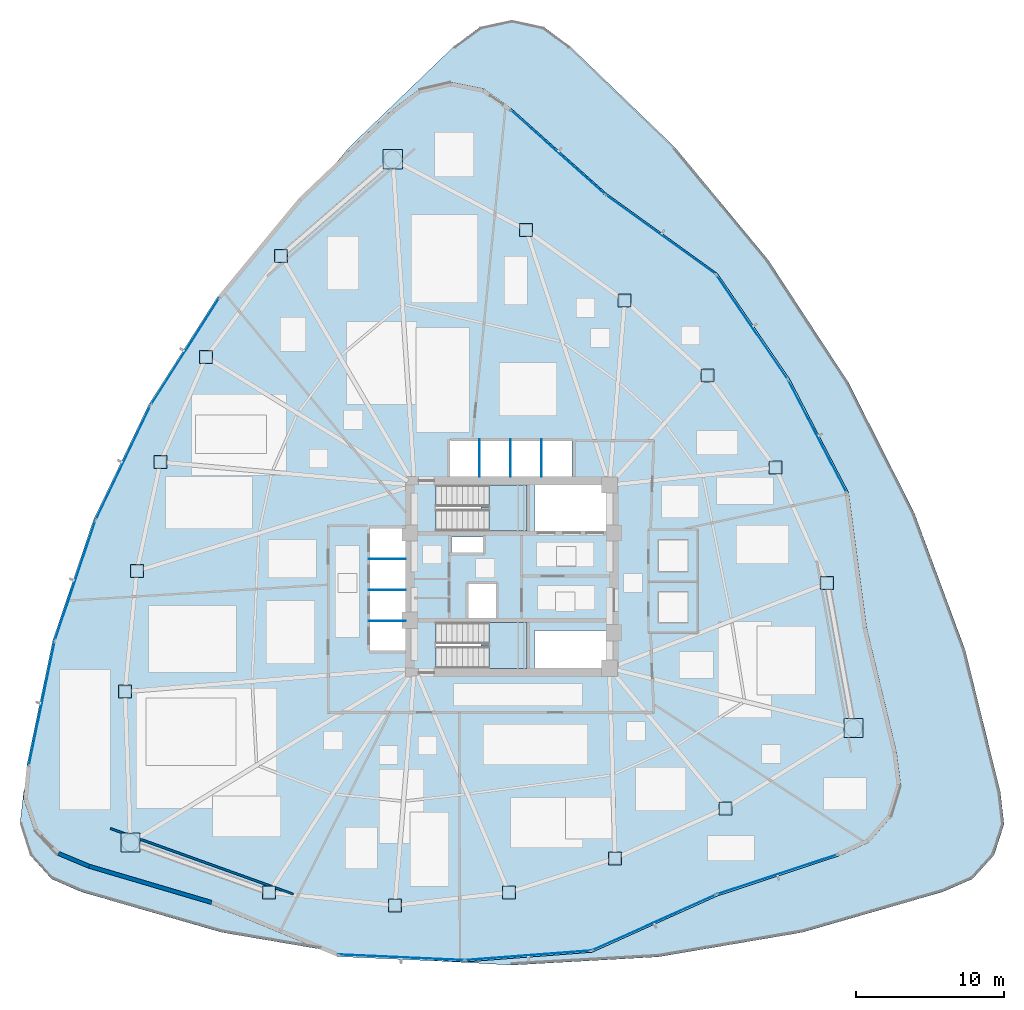
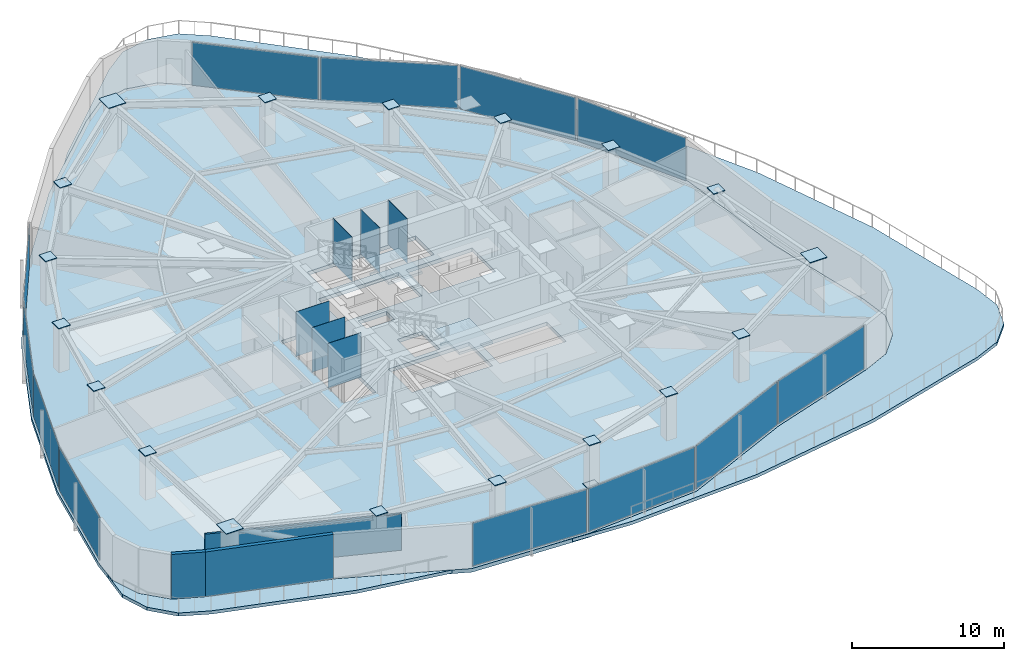
# One storey, part 10 of 19: 37 plates, 5 slabs, 3 walls, 14 elements without a shape of their own.
"""IFC4 building model written with IfcOpenShell, lengths in metres."""

from ifc_helpers import new_model, si_unit, direction, frame, frame_2d, origin, origin_2d, place, context, subcontext, project, spatial, polyline, rectangle, outline, extrude, source, transform, mapped, material, layer, layer_set, type_object, type_shapes, element, aggregate, save


model = new_model("IFC4")

# Units and contexts
model_context = context("Model", 3, precision=1e-05, world=origin(), true_north=direction((0.0, 1.0)))
body_context = subcontext(model_context, "Body", "Model", "MODEL_VIEW")
ifc_project = project(units=[si_unit("LENGTHUNIT", "METRE"), si_unit("AREAUNIT", "SQUARE_METRE"), si_unit("VOLUMEUNIT", "CUBIC_METRE"), si_unit("PLANEANGLEUNIT", "RADIAN"), si_unit("MASSUNIT", "GRAM", prefix="KILO")], contexts=[model_context])

# Site, building, storey
site_placement = place(None, origin())
site = spatial("IfcSite", under=ifc_project, at=site_placement, CompositionType="ELEMENT")
building_placement = place(site_placement, origin())
building = spatial("IfcBuilding", under=site, at=building_placement, Name="Tavelor Broadcast Tower", CompositionType="ELEMENT")
storey_placement = place(building_placement, frame((0.0, 0.0, 27.60009765625)))
storey = spatial("IfcBuildingStorey", under=building, at=storey_placement, Name="L05", CompositionType="ELEMENT", Elevation=27.60009765625)

# Slabs
ifc_material_1 = material(Name="Concrete C40/50", Category="concrete")
ifc_layer_1 = layer(ifc_material_1, 0.260009765625)
ifc_layer_set_1 = layer_set([ifc_layer_1], Name="Concrete C40/50")
slab_type_1 = type_object("IfcSlabType", Name="Cascading Planted Terrace Roof Slab 260 mm", PredefinedType="ROOF", material=ifc_layer_set_1)
slab_1_placement = place(storey_placement, frame((0.0, 0.0, -0.260009765625)))
element("IfcSlab", 1, at=slab_1_placement, inside=storey, type_object=slab_type_1, Name="L05 Cascading Planted Garden Terrace Slab 1", PredefinedType="ROOF", context=body_context, shape_type="SweptSolid", body=[
    extrude(outline(polyline([(38.05078125, 72.96533203125), (41.865478515625, 76.58837890625), (43.668212890625, 77.964111328125), (45.8740234375, 78.475341796875), (48.09521484375, 78.03369140625), (49.940185546875, 76.715087890625), (56.39697265625, 70.95751953125), (56.3984375, 70.956298828125), (63.910888671875, 65.539306640625), (68.79345703125, 58.402099609375), (72.776123046875, 50.7265625), (74.000244140625, 41.546142578125), (74.00048828125, 41.5439453125), (76.023681640625, 33.1328125), (76.313720703125, 30.8837890625), (75.653564453125, 28.7177734375), (74.160400390625, 27.01513671875), (72.09619140625, 26.07666015625), (63.88134765625, 23.363525390625), (63.87939453125, 23.36279296875), (55.43212890625, 19.5654296875), (46.809814453125, 18.90576171875), (43.833251953125, 19.03955078125), (50.0, 18.693115234375), (59.889892578125, 19.248779296875), (69.655517578125, 20.908935546875), (79.173583984375, 23.652587890625), (81.18017578125, 24.527099609375), (82.649169921875, 26.14990234375), (83.320068359375, 28.2333984375), (83.07421875, 30.40869140625), (80.69140625, 40.023193359375), (77.24609375, 49.310546875), (72.782470703125, 58.153564453125), (67.356201171875, 66.440673828125), (61.03564453125, 74.06787109375), (53.900634765625, 80.938720703125), (52.139892578125, 82.2392578125), (50.0, 82.699951171875), (47.860107421875, 82.2392578125), (46.099365234375, 80.938720703125), (38.96435546875, 74.06787109375), (38.05078125, 72.96533203125)])), origin(), (0.0, 0.0, 1.0), 0.260009765625),
])
slab_2_placement = place(storey_placement, frame((0.0, 0.0, -0.260009765625)))
element("IfcSlab", 2, at=slab_2_placement, inside=storey, type_object=slab_type_1, Name="L05 Cascading Planted Garden Terrace Slab 2", PredefinedType="ROOF", context=body_context, shape_type="SweptSolid", body=[
    extrude(outline(polyline([(36.99853515625, 19.777587890625), (29.608642578125, 22.824462890625), (29.606689453125, 22.8251953125), (21.31103515625, 25.27880859375), (19.21826171875, 26.152099609375), (17.67236328125, 27.806884765625), (16.944580078125, 29.951171875), (17.02978515625, 30.827880859375), (16.92578125, 30.40869140625), (16.679931640625, 28.2333984375), (17.350830078125, 26.14990234375), (18.81982421875, 24.527099609375), (20.826416015625, 23.652587890625), (30.344482421875, 20.908935546875), (36.99853515625, 19.777587890625)])), origin(), (0.0, 0.0, 1.0), 0.260009765625),
])

# Stair, slab
stair_type = type_object("IfcStairType", Name="Reinforced Concrete Protected Dogleg Stair 1450 mm", PredefinedType="HALF_TURN_STAIR", material=ifc_material_1)
stair_1_placement = place(storey_placement, origin())
stair_1 = element("IfcStair", 3, at=stair_1_placement, inside=storey, type_object=stair_type, Name="L05 Protected Core Exit Stair ST1", PredefinedType="HALF_TURN_STAIR")
ifc_layer_2 = layer(ifc_material_1, 0.199951171875)
ifc_layer_set_2 = layer_set([ifc_layer_2], Name="Concrete C40/50")
slab_type_2 = type_object("IfcSlabType", Name="Reinforced Concrete Stair Half-Landing Slab 200 mm", PredefinedType="LANDING", material=ifc_layer_set_2)
slab_3_placement = place(storey_placement, frame((0.0, 0.0, 1.75)))
slab_3 = element("IfcSlab", 4, at=slab_3_placement, type_object=slab_type_2, Name="ST1 landing 1", PredefinedType="LANDING", context=body_context, shape_type="SweptSolid", body=[
    extrude(outline(polyline([(48.445068359375, 49.590087890625), (48.445068359375, 48.094970703125), (51.0048828125, 48.094970703125), (51.0048828125, 51.205078125), (48.445068359375, 51.205078125), (48.445068359375, 49.7099609375), (47.905029296875, 49.7099609375), (47.905029296875, 49.590087890625), (48.445068359375, 49.590087890625)])), origin(), (0.0, 0.0, 1.0), 0.199951171875),
])
aggregate(stair_1, [slab_3])

stair_2_placement = place(storey_placement, origin())
stair_2 = element("IfcStair", 5, at=stair_2_placement, inside=storey, type_object=stair_type, Name="L05 Protected Core Exit Stair ST2", PredefinedType="HALF_TURN_STAIR")
slab_4_placement = place(storey_placement, frame((0.0, 0.0, 1.75)))
slab_4 = element("IfcSlab", 6, at=slab_4_placement, type_object=slab_type_2, Name="ST2 landing 1", PredefinedType="LANDING", context=body_context, shape_type="SweptSolid", body=[
    extrude(outline(polyline([(48.445068359375, 40.2900390625), (48.445068359375, 38.794921875), (51.0048828125, 38.794921875), (51.0048828125, 41.905029296875), (48.445068359375, 41.905029296875), (48.445068359375, 40.409912109375), (47.905029296875, 40.409912109375), (47.905029296875, 40.2900390625), (48.445068359375, 40.2900390625)])), origin(), (0.0, 0.0, 1.0), 0.199951171875),
])
aggregate(stair_2, [slab_4])

# Slab
ifc_layer_3 = layer(ifc_material_1, 0.300048828125)
ifc_layer_set_3 = layer_set([ifc_layer_3], Name="Concrete C40/50")
slab_type_3 = type_object("IfcSlabType", Name="Tower Composite Floor Slab 300 mm", PredefinedType="FLOOR", material=ifc_layer_set_3)
slab_5_placement = place(storey_placement, frame((0.0, 0.0, -0.300048828125)))
element("IfcSlab", 7, at=slab_5_placement, inside=storey, type_object=slab_type_3, Name="L05 Structural Floor Slab", PredefinedType="FLOOR", context=body_context, shape_type="SweptSolid", body=[
    extrude(outline(polyline([(49.95263671875, 76.730712890625), (48.103271484375, 78.052490234375), (45.873779296875, 78.495849609375), (43.659423828125, 77.982666015625), (41.852294921875, 76.603515625), (35.578857421875, 70.645263671875), (30.072509765625, 63.9716796875), (25.4140625, 56.6806640625), (21.67236328125, 48.87939453125), (18.902099609375, 40.682861328125), (17.14404296875, 32.211181640625), (16.92431640625, 29.94873046875), (17.65478515625, 27.79638671875), (19.20654296875, 26.13525390625), (21.30419921875, 25.260009765625), (29.60107421875, 22.805908203125), (38.1669921875, 19.2744140625), (46.810302734375, 18.8857421875), (55.43701171875, 19.545654296875), (63.8876953125, 23.344482421875), (72.103515625, 26.057861328125), (74.172607421875, 26.998779296875), (75.67138671875, 28.707763671875), (76.333984375, 30.882080078125), (76.043212890625, 33.136474609375), (74.02001953125, 41.548583984375), (72.795654296875, 50.732666015625), (68.810546875, 58.412353515625), (63.925537109375, 65.553466796875), (56.41015625, 70.972412109375), (49.95263671875, 76.730712890625)]), holes=[polyline([(56.60009765625, 38.800048828125), (51.52001953125, 38.800048828125), (51.52001953125, 41.35009765625), (56.60009765625, 41.35009765625), (56.60009765625, 38.800048828125)]), polyline([(50.99609375, 38.803955078125), (44.85400390625, 38.803955078125), (44.85400390625, 41.89599609375), (50.99609375, 41.89599609375), (50.99609375, 38.803955078125)]), polyline([(47.050048828125, 42.199951171875), (47.050048828125, 44.550048828125), (48.949951171875, 44.550048828125), (48.949951171875, 42.199951171875), (47.050048828125, 42.199951171875)]), polyline([(40.35009765625, 40.0), (40.35009765625, 48.25), (42.800048828125, 48.25), (42.800048828125, 40.0), (40.35009765625, 40.0)]), polyline([(48.050048828125, 46.64990234375), (45.89990234375, 46.64990234375), (45.89990234375, 47.699951171875), (48.050048828125, 47.699951171875), (48.050048828125, 46.64990234375)]), polyline([(50.99609375, 48.10400390625), (44.85400390625, 48.10400390625), (44.85400390625, 51.196044921875), (50.99609375, 51.196044921875), (50.99609375, 48.10400390625)]), polyline([(56.60009765625, 48.10009765625), (51.52001953125, 48.10009765625), (51.52001953125, 51.199951171875), (56.60009765625, 51.199951171875), (56.60009765625, 48.10009765625)]), polyline([(54.050048828125, 51.800048828125), (45.800048828125, 51.800048828125), (45.800048828125, 54.25), (54.050048828125, 54.25), (54.050048828125, 51.800048828125)])]), origin(), (0.0, 0.0, 1.0), 0.300048828125),
])

# Plates
ifc_material_2 = material(Name="Steel S460", Category="steel")
ifc_layer_4 = layer(ifc_material_2, 0.050048828125)
ifc_layer_set_4 = layer_set([ifc_layer_4], Name="Steel S460")
plate_type_1 = type_object("IfcPlateType", Name="Tube Hollow-End Cap Plate KN05 700x700x50", PredefinedType="USERDEFINED", material=ifc_layer_set_4)
shared_shape_1 = source(origin(), body_context, "Body", "SweptSolid", [
    extrude(rectangle(XDim=1.299072265625, YDim=1.299072265625, at=origin_2d()), origin(), (0.0, 0.0, 1.0), 0.054931640625),
])
for number, where, z_axis, x_axis, name in (
    (8, (41.923095703125, 73.266357421875, 3.572265625), (0.0, 0.0, 1.0), (1.0, 0.0, 0.0), "L05 Hollow End Cap Plate KN05 #219"),
    (9, (24.1591796875, 26.98974609375, 3.572265625), (0.0, 0.0, 1.0), (1.0, 0.0, 0.0), "L05 Hollow End Cap Plate KN05 #225"),
    (10, (73.117919921875, 34.743896484375, 3.572265625), (0.0, 0.0, 1.0), (1.0, 0.0, 0.0), "L05 Hollow End Cap Plate KN05 #232"),
):
    element("IfcPlate", number, at=place(storey_placement, frame(where, z_axis=z_axis, x_axis=x_axis)), inside=storey, type_object=plate_type_1, Name=name, ObjectType="CAP PLATE", PredefinedType="USERDEFINED", context=body_context, shape_type="MappedRepresentation", body=[
        mapped(shared_shape_1, transform((0.0, 0.0, 0.0), scale=1.0)),
    ])
shared_shape_2 = source(origin(), body_context, "Body", "SweptSolid", [
    extrude(rectangle(XDim=0.8798828125, YDim=0.8798828125, at=origin_2d()), origin(), (0.0, 0.0, 1.0), 0.054931640625),
])
type_shapes(plate_type_1, [shared_shape_1, shared_shape_2])
for number, where, z_axis, x_axis, name in (
    (11, (34.356201171875, 66.727783203125, 3.572265625), (0.0, 0.0, 1.0), (1.0, 0.0, 0.0), "L05 Hollow End Cap Plate KN05 #220"),
    (12, (29.292236328125, 59.87158203125, 3.572265625), (0.0, 0.0, 1.0), (1.0, 0.0, 0.0), "L05 Hollow End Cap Plate KN05 #221"),
    (13, (26.189208984375, 52.75830078125, 3.572265625), (0.0, 0.0, 1.0), (1.0, 0.0, 0.0), "L05 Hollow End Cap Plate KN05 #222"),
    (14, (24.58984375, 45.380615234375, 3.572265625), (0.0, 0.0, 1.0), (1.0, 0.0, 0.0), "L05 Hollow End Cap Plate KN05 #223"),
    (15, (23.794677734375, 37.21630859375, 3.572265625), (0.0, 0.0, 1.0), (1.0, 0.0, 0.0), "L05 Hollow End Cap Plate KN05 #224"),
    (16, (33.55078125, 23.615478515625, 3.572265625), (0.0, 0.0, 1.0), (1.0, 0.0, 0.0), "L05 Hollow End Cap Plate KN05 #226"),
    (17, (42.0732421875, 22.740478515625, 3.572265625), (0.0, 0.0, 1.0), (1.0, 0.0, 0.0), "L05 Hollow End Cap Plate KN05 #227"),
    (18, (49.78662109375, 23.617919921875, -0.02734375), (0.0, 0.0, 1.0), (1.0, 0.0, 0.0), "L05 Hollow End Cap Plate KN05 #228"),
    (19, (49.78662109375, 23.617919921875, 3.572265625), (0.0, 0.0, 1.0), (1.0, 0.0, 0.0), "L05 Hollow End Cap Plate KN05 #229"),
    (20, (56.975341796875, 25.92138671875, 3.572265625), (0.0, 0.0, 1.0), (1.0, 0.0, 0.0), "L05 Hollow End Cap Plate KN05 #230"),
    (21, (64.443603515625, 29.31494140625, 3.572265625), (0.0, 0.0, 1.0), (1.0, 0.0, 0.0), "L05 Hollow End Cap Plate KN05 #231"),
    (22, (71.343994140625, 44.564697265625, 3.572265625), (0.0, 0.0, 1.0), (1.0, 0.0, 0.0), "L05 Hollow End Cap Plate KN05 #233"),
    (23, (67.8408203125, 52.382568359375, 3.572265625), (0.0, 0.0, 1.0), (1.0, 0.0, 0.0), "L05 Hollow End Cap Plate KN05 #234"),
    (24, (63.22412109375, 58.623779296875, 3.572265625), (0.0, 0.0, 1.0), (1.0, 0.0, 0.0), "L05 Hollow End Cap Plate KN05 #235"),
    (25, (57.634765625, 63.69775390625, 3.572265625), (0.0, 0.0, 1.0), (1.0, 0.0, 0.0), "L05 Hollow End Cap Plate KN05 #236"),
    (26, (50.9619140625, 68.468505859375, 3.572265625), (0.0, 0.0, 1.0), (1.0, 0.0, 0.0), "L05 Hollow End Cap Plate KN05 #237"),
):
    element("IfcPlate", number, at=place(storey_placement, frame(where, z_axis=z_axis, x_axis=x_axis)), inside=storey, type_object=plate_type_1, Name=name, ObjectType="CAP PLATE", PredefinedType="USERDEFINED", context=body_context, shape_type="MappedRepresentation", body=[
        mapped(shared_shape_2, transform((0.0, 0.0, 0.0), scale=1.0)),
    ])
ifc_material_3 = material(Name="Steel S355", Category="steel")
ifc_layer_5 = layer(ifc_material_3, 0.011962890625)
ifc_layer_set_5 = layer_set([ifc_layer_5], Name="Steel S355")
plate_type_2 = type_object("IfcPlateType", Name="Hoistway Steel Separator Screen 12 mm", PredefinedType="SHEET", material=ifc_layer_set_5)
shared_shape_3 = source(origin(), body_context, "Body", "SweptSolid", [
    extrude(rectangle(XDim=2.52001953125, YDim=0.02001953125, at=origin_2d()), origin(), (0.0, 0.0, 1.0), 3.60009765625),
])
for number, where, z_axis, x_axis, name in (
    (27, (41.56005859375, 42.0, -0.000244140625), (0.0, 0.0, 1.0), (1.0, 0.0, 0.0), "L05 Low-Rise Hoistway Separator Screen 1"),
    (28, (41.56005859375, 44.10009765625, -0.000244140625), (0.0, 0.0, 1.0), (1.0, 0.0, 0.0), "L05 Low-Rise Hoistway Separator Screen 2"),
    (29, (41.56005859375, 46.199951171875, -0.000244140625), (0.0, 0.0, 1.0), (1.0, 0.0, 0.0), "L05 Low-Rise Hoistway Separator Screen 3"),
):
    element("IfcPlate", number, at=place(storey_placement, frame(where, z_axis=z_axis, x_axis=x_axis)), inside=storey, type_object=plate_type_2, Name=name, PredefinedType="SHEET", context=body_context, shape_type="MappedRepresentation", body=[
        mapped(shared_shape_3, transform((0.0, 0.0, 0.0), scale=1.0)),
    ])
shared_shape_4 = source(origin(), body_context, "Body", "SweptSolid", [
    extrude(rectangle(XDim=0.02001953125, YDim=2.52001953125, at=origin_2d()), origin(), (0.0, 0.0, 1.0), 3.60009765625),
])
type_shapes(plate_type_2, [shared_shape_3, shared_shape_4])
for number, where, z_axis, x_axis, name in (
    (30, (47.800048828125, 53.0400390625, -0.000244140625), (0.0, 0.0, 1.0), (1.0, 0.0, 0.0), "L05 High-Rise Hoistway Separator Screen 1"),
    (31, (49.89990234375, 53.0400390625, -0.000244140625), (0.0, 0.0, 1.0), (1.0, 0.0, 0.0), "L05 High-Rise Hoistway Separator Screen 2"),
    (32, (52.0, 53.0400390625, -0.000244140625), (0.0, 0.0, 1.0), (1.0, 0.0, 0.0), "L05 High-Rise Hoistway Separator Screen 3"),
):
    element("IfcPlate", number, at=place(storey_placement, frame(where, z_axis=z_axis, x_axis=x_axis)), inside=storey, type_object=plate_type_2, Name=name, PredefinedType="SHEET", context=body_context, shape_type="MappedRepresentation", body=[
        mapped(shared_shape_4, transform((0.0, 0.0, 0.0), scale=1.0)),
    ])

# Curtain wall, plate
ifc_material_4 = material(Name="Architectural Anodized Aluminium", Category="aluminium")
ifc_layer_6 = layer(ifc_material_4, 0.179931640625)
ifc_layer_set_6 = layer_set([ifc_layer_6], Name="Architectural Anodized Aluminium")
curtain_wall_type = type_object("IfcCurtainWallType", Name="Tower Low-Zone Unitised Curtain Wall CW02", PredefinedType="NOTDEFINED", material=ifc_layer_set_6)
curtain_wall_1_placement = place(storey_placement, origin())
curtain_wall_1 = element("IfcCurtainWall", 33, at=curtain_wall_1_placement, inside=storey, type_object=curtain_wall_type, Name="L05 Curtain Wall CW02 Run 13", PredefinedType="NOTDEFINED")
ifc_material_5 = material(Name="Acoustic Double Glazing 28 mm", Category="glass")
ifc_layer_7 = layer(ifc_material_5, 0.028076171875)
ifc_layer_set_7 = layer_set([ifc_layer_7], Name="Acoustic Double Glazing 28 mm")
plate_type_3 = type_object("IfcPlateType", Name="CW02 Insulated Vision Glazing Panel 28 mm", PredefinedType="CURTAIN_PANEL", material=ifc_layer_set_7)
shared_shape_5 = source(origin(), body_context, "Body", "SweptSolid", [
    extrude(rectangle(XDim=8.490234375, YDim=0.028076171875, at=origin_2d()), origin(), (0.0, 0.0, 1.0), 3.469970703125),
])
plate_1_placement = place(storey_placement, frame((27.865234375, 60.257080078125, 0.06494140625), z_axis=(0.0, 0.0, 1.0), x_axis=(-0.538409643243, -0.842683247764, 0.0)))
plate_1 = element("IfcPlate", 34, at=plate_1_placement, type_object=plate_type_3, Name="CW02 panel 1.1", PredefinedType="CURTAIN_PANEL", context=body_context, shape_type="MappedRepresentation", body=[
    mapped(shared_shape_5, transform((0.0, 0.0, 0.0), scale=1.0)),
])
aggregate(curtain_wall_1, [plate_1])

curtain_wall_2_placement = place(storey_placement, origin())
curtain_wall_2 = element("IfcCurtainWall", 35, at=curtain_wall_2_placement, inside=storey, type_object=curtain_wall_type, Name="L05 Curtain Wall CW02 Run 14", PredefinedType="NOTDEFINED")
shared_shape_6 = source(origin(), body_context, "Body", "SweptSolid", [
    extrude(rectangle(XDim=8.47509765625, YDim=0.028076171875, at=origin_2d()), origin(), (0.0, 0.0, 1.0), 3.469970703125),
])
plate_2_placement = place(storey_placement, frame((23.66943359375, 52.719482421875, 0.06494140625), z_axis=(0.0, 0.0, 1.0), x_axis=(-0.43247377203, -0.901646514165, 0.0)))
plate_2 = element("IfcPlate", 36, at=plate_2_placement, type_object=plate_type_3, Name="CW02 panel 1.1", PredefinedType="CURTAIN_PANEL", context=body_context, shape_type="MappedRepresentation", body=[
    mapped(shared_shape_6, transform((0.0, 0.0, 0.0), scale=1.0)),
])
aggregate(curtain_wall_2, [plate_2])

curtain_wall_3_placement = place(storey_placement, origin())
curtain_wall_3 = element("IfcCurtainWall", 37, at=curtain_wall_3_placement, inside=storey, type_object=curtain_wall_type, Name="L05 Curtain Wall CW02 Run 15", PredefinedType="NOTDEFINED")
plate_3_placement = place(storey_placement, frame((20.419921875, 44.736328125, 0.06494140625), z_axis=(0.0, 0.0, 1.0), x_axis=(-0.320181967935, -0.947356061578, 0.0)))
plate_3 = element("IfcPlate", 38, at=plate_3_placement, type_object=plate_type_3, Name="CW02 panel 1.1", PredefinedType="CURTAIN_PANEL", context=body_context, shape_type="MappedRepresentation", body=[
    mapped(shared_shape_6, transform((0.0, 0.0, 0.0), scale=1.0)),
])
aggregate(curtain_wall_3, [plate_3])

curtain_wall_4_placement = place(storey_placement, origin())
curtain_wall_4 = element("IfcCurtainWall", 39, at=curtain_wall_4_placement, inside=storey, type_object=curtain_wall_type, Name="L05 Curtain Wall CW02 Run 16", PredefinedType="NOTDEFINED")
shared_shape_7 = source(origin(), body_context, "Body", "SweptSolid", [
    extrude(rectangle(XDim=8.490966796875, YDim=0.028076171875, at=origin_2d()), origin(), (0.0, 0.0, 1.0), 3.469970703125),
])
plate_4_placement = place(storey_placement, frame((18.158447265625, 36.410888671875, 0.06494140625), z_axis=(0.0, 0.0, 1.0), x_axis=(-0.203188970216, -0.979139541834, 0.0)))
plate_4 = element("IfcPlate", 40, at=plate_4_placement, type_object=plate_type_3, Name="CW02 panel 1.1", PredefinedType="CURTAIN_PANEL", context=body_context, shape_type="MappedRepresentation", body=[
    mapped(shared_shape_7, transform((0.0, 0.0, 0.0), scale=1.0)),
])
aggregate(curtain_wall_4, [plate_4])

curtain_wall_5_placement = place(storey_placement, origin())
curtain_wall_5 = element("IfcCurtainWall", 41, at=curtain_wall_5_placement, inside=storey, type_object=curtain_wall_type, Name="L05 Curtain Wall CW02 Run 17", PredefinedType="NOTDEFINED")
shared_shape_8 = source(origin(), body_context, "Body", "SweptSolid", [
    extrude(rectangle(XDim=8.47412109375, YDim=0.028076171875, at=origin_2d()), origin(), (0.0, 0.0, 1.0), 3.469970703125),
])
plate_5_placement = place(storey_placement, frame((42.495361328125, 19.219970703125, 0.06494140625), z_axis=(0.0, 0.0, 1.0), x_axis=(0.998990042257, -0.044932120711, 0.0)))
plate_5 = element("IfcPlate", 42, at=plate_5_placement, type_object=plate_type_3, Name="CW02 panel 1.1", PredefinedType="CURTAIN_PANEL", context=body_context, shape_type="MappedRepresentation", body=[
    mapped(shared_shape_8, transform((0.0, 0.0, 0.0), scale=1.0)),
])
aggregate(curtain_wall_5, [plate_5])

curtain_wall_6_placement = place(storey_placement, origin())
curtain_wall_6 = element("IfcCurtainWall", 43, at=curtain_wall_6_placement, inside=storey, type_object=curtain_wall_type, Name="L05 Curtain Wall CW02 Run 21", PredefinedType="NOTDEFINED")
plate_6_placement = place(storey_placement, frame((70.6787109375, 54.508544921875, 0.06494140625), z_axis=(0.0, 0.0, 1.0), x_axis=(-0.46058005951, 0.887618166095, 0.0)))
plate_6 = element("IfcPlate", 44, at=plate_6_placement, type_object=plate_type_3, Name="CW02 panel 1.1", PredefinedType="CURTAIN_PANEL", context=body_context, shape_type="MappedRepresentation", body=[
    mapped(shared_shape_8, transform((0.0, 0.0, 0.0), scale=1.0)),
])
aggregate(curtain_wall_6, [plate_6])

curtain_wall_7_placement = place(storey_placement, origin())
curtain_wall_7 = element("IfcCurtainWall", 45, at=curtain_wall_7_placement, inside=storey, type_object=curtain_wall_type, Name="L05 Curtain Wall CW02 Run 18", PredefinedType="NOTDEFINED")
shared_shape_9 = source(origin(), body_context, "Body", "SweptSolid", [
    extrude(rectangle(XDim=8.459228515625, YDim=0.028076171875, at=origin_2d()), origin(), (0.0, 0.0, 1.0), 3.469970703125),
])
plate_7_placement = place(storey_placement, frame((51.10498046875, 19.354736328125, 0.06494140625), z_axis=(0.0, 0.0, 1.0), x_axis=(0.997086245561, 0.076282494148, 0.0)))
plate_7 = element("IfcPlate", 46, at=plate_7_placement, type_object=plate_type_3, Name="CW02 panel 1.1", PredefinedType="CURTAIN_PANEL", context=body_context, shape_type="MappedRepresentation", body=[
    mapped(shared_shape_9, transform((0.0, 0.0, 0.0), scale=1.0)),
])
aggregate(curtain_wall_7, [plate_7])

curtain_wall_8_placement = place(storey_placement, origin())
curtain_wall_8 = element("IfcCurtainWall", 47, at=curtain_wall_8_placement, inside=storey, type_object=curtain_wall_type, Name="L05 Curtain Wall CW02 Run 22", PredefinedType="NOTDEFINED")
plate_8_placement = place(storey_placement, frame((66.257080078125, 61.8974609375, 0.06494140625), z_axis=(0.0, 0.0, 1.0), x_axis=(-0.564617551181, 0.825352664561, 0.0)))
plate_8 = element("IfcPlate", 48, at=plate_8_placement, type_object=plate_type_3, Name="CW02 panel 1.1", PredefinedType="CURTAIN_PANEL", context=body_context, shape_type="MappedRepresentation", body=[
    mapped(shared_shape_9, transform((0.0, 0.0, 0.0), scale=1.0)),
])
aggregate(curtain_wall_8, [plate_8])

curtain_wall_9_placement = place(storey_placement, origin())
curtain_wall_9 = element("IfcCurtainWall", 49, at=curtain_wall_9_placement, inside=storey, type_object=curtain_wall_type, Name="L05 Curtain Wall CW02 Run 19", PredefinedType="NOTDEFINED")
shared_shape_10 = source(origin(), body_context, "Body", "SweptSolid", [
    extrude(rectangle(XDim=9.087890625, YDim=0.028076171875, at=origin_2d()), origin(), (0.0, 0.0, 1.0), 3.469970703125),
])
plate_9_placement = place(storey_placement, frame((59.619384765625, 21.579345703125, 0.06494140625), z_axis=(0.0, 0.0, 1.0), x_axis=(0.912078751162, 0.410015062746, 0.0)))
plate_9 = element("IfcPlate", 50, at=plate_9_placement, type_object=plate_type_3, Name="CW02 panel 1.1", PredefinedType="CURTAIN_PANEL", context=body_context, shape_type="MappedRepresentation", body=[
    mapped(shared_shape_10, transform((0.0, 0.0, 0.0), scale=1.0)),
])
aggregate(curtain_wall_9, [plate_9])

curtain_wall_10_placement = place(storey_placement, origin())
curtain_wall_10 = element("IfcCurtainWall", 51, at=curtain_wall_10_placement, inside=storey, type_object=curtain_wall_type, Name="L05 Curtain Wall CW02 Run 20", PredefinedType="NOTDEFINED")
shared_shape_11 = source(origin(), body_context, "Body", "SweptSolid", [
    extrude(rectangle(XDim=8.5068359375, YDim=0.028076171875, at=origin_2d()), origin(), (0.0, 0.0, 1.0), 3.469970703125),
])
plate_10_placement = place(storey_placement, frame((67.95166015625, 24.834228515625, 0.06494140625), z_axis=(0.0, 0.0, 1.0), x_axis=(0.94955498962, 0.313600576671, 0.0)))
plate_10 = element("IfcPlate", 52, at=plate_10_placement, type_object=plate_type_3, Name="CW02 panel 1.1", PredefinedType="CURTAIN_PANEL", context=body_context, shape_type="MappedRepresentation", body=[
    mapped(shared_shape_11, transform((0.0, 0.0, 0.0), scale=1.0)),
])
aggregate(curtain_wall_10, [plate_10])

curtain_wall_11_placement = place(storey_placement, origin())
curtain_wall_11 = element("IfcCurtainWall", 53, at=curtain_wall_11_placement, inside=storey, type_object=curtain_wall_type, Name="L05 Curtain Wall CW02 Run 24", PredefinedType="NOTDEFINED")
plate_11_placement = place(storey_placement, frame((53.088134765625, 73.747314453125, 0.06494140625), z_axis=(0.0, 0.0, 1.0), x_axis=(-0.746360097065, 0.665542339381, 0.0)))
plate_11 = element("IfcPlate", 54, at=plate_11_placement, type_object=plate_type_3, Name="CW02 panel 1.1", PredefinedType="CURTAIN_PANEL", context=body_context, shape_type="MappedRepresentation", body=[
    mapped(shared_shape_11, transform((0.0, 0.0, 0.0), scale=1.0)),
])
aggregate(curtain_wall_11, [plate_11])

curtain_wall_12_placement = place(storey_placement, origin())
curtain_wall_12 = element("IfcCurtainWall", 55, at=curtain_wall_12_placement, inside=storey, type_object=curtain_wall_type, Name="L05 Curtain Wall CW02 Run 23", PredefinedType="NOTDEFINED")
shared_shape_12 = source(origin(), body_context, "Body", "SweptSolid", [
    extrude(rectangle(XDim=9.088134765625, YDim=0.028076171875, at=origin_2d()), origin(), (0.0, 0.0, 1.0), 3.469970703125),
])
type_shapes(plate_type_3, [shared_shape_5, shared_shape_6, shared_shape_7, shared_shape_8, shared_shape_9, shared_shape_10, shared_shape_11, shared_shape_12])
plate_12_placement = place(storey_placement, frame((60.072998046875, 68.15869140625, 0.06494140625), z_axis=(0.0, 0.0, 1.0), x_axis=(-0.811124674526, 0.584873287452, 0.0)))
plate_12 = element("IfcPlate", 56, at=plate_12_placement, type_object=plate_type_3, Name="CW02 panel 1.1", PredefinedType="CURTAIN_PANEL", context=body_context, shape_type="MappedRepresentation", body=[
    mapped(shared_shape_12, transform((0.0, 0.0, 0.0), scale=1.0)),
])
aggregate(curtain_wall_12, [plate_12])

# Walls
ifc_material_6 = material(Name="Precast Concrete C40/50", Category="concrete")
ifc_layer_8 = layer(ifc_material_6, 0.280029296875)
ifc_layer_set_8 = layer_set([ifc_layer_8], Name="Precast Concrete C40/50")
wall_type_1 = type_object("IfcWallType", Name="Insulated Precast Terracotta Facade Wall 280 mm", PredefinedType="STANDARD", material=ifc_layer_set_8)
wall_1_placement = place(storey_placement, frame((19.2744140625, 26.2587890625, 0.0), z_axis=(0.0, 0.0, 1.0), x_axis=(0.92284399396, -0.385173938387, 0.0)))
element("IfcWall", 57, at=wall_1_placement, inside=storey, type_object=wall_type_1, Name="L05 Rounded Corner Structural Cladding Pier 14", PredefinedType="STANDARD", context=body_context, shape_type="SweptSolid", body=[
    extrude(rectangle(XDim=2.265380859375, YDim=0.280029296875, at=frame_2d((1.1328125, 0.0))), origin(), (0.0, 0.0, 1.0), 3.599853515625),
])
wall_2_placement = place(storey_placement, frame((21.3369140625, 25.396240234375, 0.0), z_axis=(0.0, 0.0, 1.0), x_axis=(0.958933609462, -0.283630627127, 0.0)))
element("IfcWall", 58, at=wall_2_placement, inside=storey, type_object=wall_type_1, Name="L05 Rounded Corner Structural Cladding Pier 15", PredefinedType="STANDARD", context=body_context, shape_type="SweptSolid", body=[
    extrude(rectangle(XDim=8.681640625, YDim=0.280029296875, at=frame_2d((4.3408203125, 0.0))), origin(), (0.0, 0.0, 1.0), 3.599853515625),
])
ifc_material_7 = material(Name="Gypsum Acoustic Plasterboard 150 mm", Category="gypsum")
ifc_layer_9 = layer(ifc_material_7, 0.14990234375)
ifc_layer_set_9 = layer_set([ifc_layer_9], Name="Gypsum Acoustic Plasterboard 150 mm")
wall_type_2 = type_object("IfcWallType", Name="Interior Acoustic Partition Wall 150 mm", PredefinedType="PARTITIONING", material=ifc_layer_set_9)
wall_3_placement = place(storey_placement, frame((22.802001953125, 27.94482421875, 0.0), z_axis=(0.0, 0.0, 1.0), x_axis=(0.941102349209, -0.338121824662, 0.0)))
element("IfcWall", 59, at=wall_3_placement, inside=storey, type_object=wall_type_2, Name="L05 Corner Tube Brace Furring Wall 2", PredefinedType="PARTITIONING", context=body_context, shape_type="SweptSolid", body=[
    extrude(rectangle(XDim=13.1796875, YDim=0.14990234375, at=frame_2d((6.58984375, 0.0))), origin(), (0.0, 0.0, 1.0), 2.9248046875),
])

save(model, "model.ifc")
